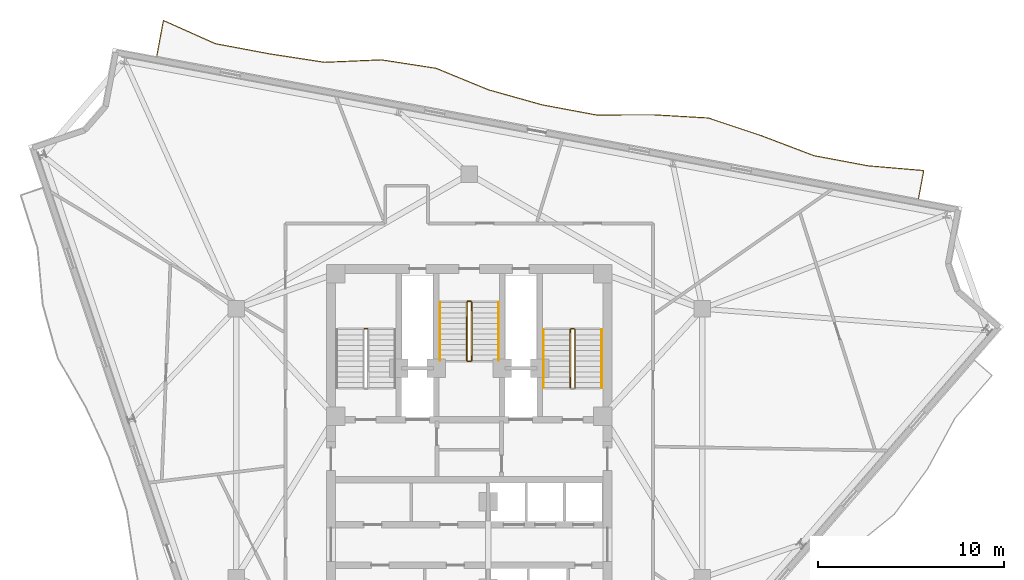
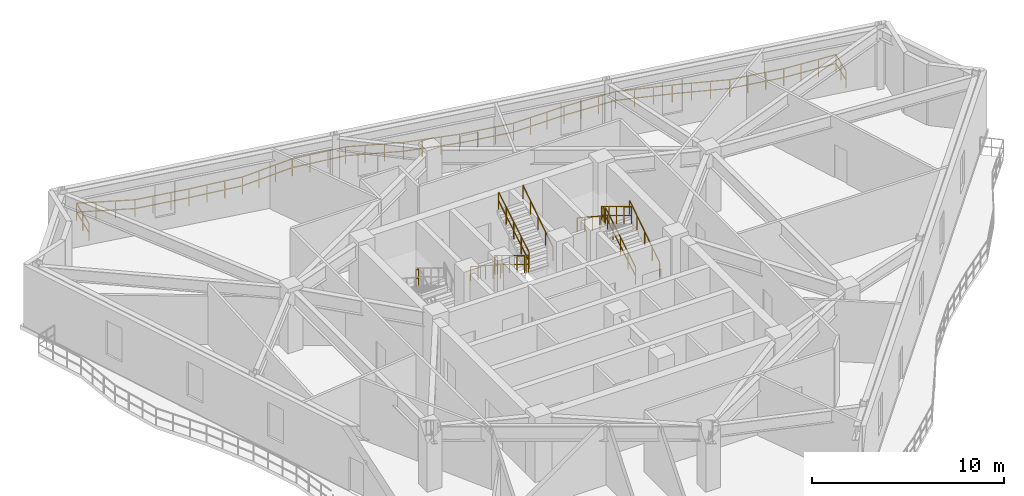
# One storey, part 10 of 10: 13 railings.
"""IFC4 building model written with IfcOpenShell, lengths in metres."""

from ifc_helpers import new_model, si_unit, direction, frame, origin, origin_2d, place, context, subcontext, project, spatial, rectangle, extrude, material, type_object, element, save


model = new_model("IFC4")

# Units and contexts
model_context = context("Model", 3, precision=1e-05, world=origin(), true_north=direction((0.0, 1.0)))
body_context = subcontext(model_context, "Body", "Model", "MODEL_VIEW")
ifc_project = project(units=[si_unit("LENGTHUNIT", "METRE"), si_unit("AREAUNIT", "SQUARE_METRE"), si_unit("VOLUMEUNIT", "CUBIC_METRE"), si_unit("PLANEANGLEUNIT", "RADIAN"), si_unit("MASSUNIT", "GRAM", prefix="KILO")], contexts=[model_context])

# Site, building, storey
site_placement = place(None, origin())
site = spatial("IfcSite", under=ifc_project, at=site_placement, CompositionType="ELEMENT")
building_placement = place(site_placement, origin())
building = spatial("IfcBuilding", under=site, at=building_placement, Name="Apsidion Concourse Tower", CompositionType="ELEMENT")
storey_placement = place(building_placement, frame((0.0, 0.0, 265.5)))
storey = spatial("IfcBuildingStorey", under=building, at=storey_placement, Name="L62", CompositionType="ELEMENT", Elevation=265.5)

# Railings
ifc_material = material(Name="Brushed stainless steel 316", Category="steel")
railing_type_1 = type_object("IfcRailingType", Name="RL-BAL-1120", PredefinedType="BALUSTRADE", material=ifc_material)
railing_1_placement = place(storey_placement, frame((-16.84228515625, 20.8583984375, 0.0)))
element("IfcRailing", 1, at=railing_1_placement, inside=storey, type_object=railing_type_1, Name="L62 Face 3 Rippling Balcony Balustrade", PredefinedType="BALUSTRADE", context=body_context, shape_type="SweptSolid", body=[
    extrude(rectangle(XDim=0.048095703125, YDim=0.048095703125, at=origin_2d()), frame((0.0, 0.0, 1.09619140625), z_axis=(0.183890917986, 0.982946656885, 0.0), x_axis=(-0.982946656885, 0.183890917986, 0.0)), (0.0, 0.0, 1.0), 1.96484375),
    extrude(rectangle(XDim=0.048095703125, YDim=0.048095703125, at=origin_2d()), frame((0.0, 0.0, 0.5361328125), z_axis=(0.183890917986, 0.982946656885, 0.0), x_axis=(-0.982946656885, 0.183890917986, 0.0)), (0.0, 0.0, 1.0), 1.96484375),
    extrude(rectangle(XDim=0.048095703125, YDim=0.048095703125, at=origin_2d()), frame((0.361328125, 1.931396484375, 1.09619140625), z_axis=(0.913061683127, -0.407821483991, 0.0), x_axis=(0.407821483991, 0.913061683127, 0.0)), (0.0, 0.0, 1.0), 3.0673828125),
    extrude(rectangle(XDim=0.048095703125, YDim=0.048095703125, at=origin_2d()), frame((0.361328125, 1.931396484375, 0.5361328125), z_axis=(0.913061683127, -0.407821483991, 0.0), x_axis=(0.407821483991, 0.913061683127, 0.0)), (0.0, 0.0, 1.0), 3.0673828125),
    extrude(rectangle(XDim=0.048095703125, YDim=0.048095703125, at=origin_2d()), frame((3.162109375, 0.680419921875, 1.09619140625), z_axis=(0.982929583423, -0.183982156831, 0.0), x_axis=(0.183982156831, 0.982929583423, 0.0)), (0.0, 0.0, 1.0), 2.983154296875),
    extrude(rectangle(XDim=0.048095703125, YDim=0.048095703125, at=origin_2d()), frame((3.162109375, 0.680419921875, 0.5361328125), z_axis=(0.982929583423, -0.183982156831, 0.0), x_axis=(0.183982156831, 0.982929583423, 0.0)), (0.0, 0.0, 1.0), 2.983154296875),
    extrude(rectangle(XDim=0.048095703125, YDim=0.048095703125, at=origin_2d()), frame((6.09423828125, 0.131591796875, 1.09619140625), z_axis=(0.988358455013, -0.152143236475, 0.0), x_axis=(0.152143236475, 0.988358455013, 0.0)), (0.0, 0.0, 1.0), 2.984619140625),
    extrude(rectangle(XDim=0.048095703125, YDim=0.048095703125, at=origin_2d()), frame((6.09423828125, 0.131591796875, 0.5361328125), z_axis=(0.988358455013, -0.152143236475, 0.0), x_axis=(0.152143236475, 0.988358455013, 0.0)), (0.0, 0.0, 1.0), 2.984619140625),
    extrude(rectangle(XDim=0.048095703125, YDim=0.048095703125, at=origin_2d()), frame((9.044189453125, -0.322509765625, 1.09619140625), z_axis=(0.999059164285, 0.043368032666, 0.0), x_axis=(-0.043368032666, 0.999059164285, 0.0)), (0.0, 0.0, 1.0), 3.0625),
    extrude(rectangle(XDim=0.048095703125, YDim=0.048095703125, at=origin_2d()), frame((9.044189453125, -0.322509765625, 0.5361328125), z_axis=(0.999059164285, 0.043368032666, 0.0), x_axis=(-0.043368032666, 0.999059164285, 0.0)), (0.0, 0.0, 1.0), 3.0625),
    extrude(rectangle(XDim=0.048095703125, YDim=0.048095703125, at=origin_2d()), frame((12.103759765625, -0.189697265625, 1.09619140625), z_axis=(0.988319627636, -0.152395254617, 0.0), x_axis=(0.152395254617, 0.988319627636, 0.0)), (0.0, 0.0, 1.0), 2.984619140625),
    extrude(rectangle(XDim=0.048095703125, YDim=0.048095703125, at=origin_2d()), frame((12.103759765625, -0.189697265625, 0.5361328125), z_axis=(0.988319627636, -0.152395254617, 0.0), x_axis=(0.152395254617, 0.988319627636, 0.0)), (0.0, 0.0, 1.0), 2.984619140625),
    extrude(rectangle(XDim=0.048095703125, YDim=0.048095703125, at=origin_2d()), frame((15.053466796875, -0.64453125, 1.09619140625), z_axis=(0.925084175879, -0.379762119672, 0.0), x_axis=(0.379762119672, 0.925084175879, 0.0)), (0.0, 0.0, 1.0), 3.046630859375),
    extrude(rectangle(XDim=0.048095703125, YDim=0.048095703125, at=origin_2d()), frame((15.053466796875, -0.64453125, 0.5361328125), z_axis=(0.925084175879, -0.379762119672, 0.0), x_axis=(0.379762119672, 0.925084175879, 0.0)), (0.0, 0.0, 1.0), 3.046630859375),
    extrude(rectangle(XDim=0.048095703125, YDim=0.048095703125, at=origin_2d()), frame((17.871826171875, -1.801513671875, 1.09619140625), z_axis=(0.962769036181, -0.270325328025, 0.0), x_axis=(0.270325328025, 0.962769036181, 0.0)), (0.0, 0.0, 1.0), 2.994873046875),
    extrude(rectangle(XDim=0.048095703125, YDim=0.048095703125, at=origin_2d()), frame((17.871826171875, -1.801513671875, 0.5361328125), z_axis=(0.962769036181, -0.270325328025, 0.0), x_axis=(0.270325328025, 0.962769036181, 0.0)), (0.0, 0.0, 1.0), 2.994873046875),
    extrude(rectangle(XDim=0.048095703125, YDim=0.048095703125, at=origin_2d()), frame((20.755126953125, -2.611083984375, 1.09619140625), z_axis=(0.982944381003, -0.183903082774, 0.0), x_axis=(0.183903082774, 0.982944381003, 0.0)), (0.0, 0.0, 1.0), 2.98291015625),
    extrude(rectangle(XDim=0.048095703125, YDim=0.048095703125, at=origin_2d()), frame((20.755126953125, -2.611083984375, 0.5361328125), z_axis=(0.982944381003, -0.183903082774, 0.0), x_axis=(0.183903082774, 0.982944381003, 0.0)), (0.0, 0.0, 1.0), 2.98291015625),
    extrude(rectangle(XDim=0.048095703125, YDim=0.048095703125, at=origin_2d()), frame((23.687255859375, -3.15966796875, 1.09619140625), z_axis=(0.99999402508, 0.003456848869, 0.0), x_axis=(-0.003456848869, 0.99999402508, 0.0)), (0.0, 0.0, 1.0), 3.036865234375),
    extrude(rectangle(XDim=0.048095703125, YDim=0.048095703125, at=origin_2d()), frame((23.687255859375, -3.15966796875, 0.5361328125), z_axis=(0.99999402508, 0.003456848869, 0.0), x_axis=(-0.003456848869, 0.99999402508, 0.0)), (0.0, 0.0, 1.0), 3.036865234375),
    extrude(rectangle(XDim=0.048095703125, YDim=0.048095703125, at=origin_2d()), frame((26.72412109375, -3.149169921875, 1.09619140625), z_axis=(0.998327980421, -0.05780349045, 0.0), x_axis=(0.05780349045, 0.998327980421, 0.0)), (0.0, 0.0, 1.0), 3.00732421875),
    extrude(rectangle(XDim=0.048095703125, YDim=0.048095703125, at=origin_2d()), frame((26.72412109375, -3.149169921875, 0.5361328125), z_axis=(0.998327980421, -0.05780349045, 0.0), x_axis=(0.05780349045, 0.998327980421, 0.0)), (0.0, 0.0, 1.0), 3.00732421875),
    extrude(rectangle(XDim=0.048095703125, YDim=0.048095703125, at=origin_2d()), frame((29.726318359375, -3.322998046875, 1.09619140625), z_axis=(0.948431683114, -0.316981612187, 0.0), x_axis=(0.316981612187, 0.948431683114, 0.0)), (0.0, 0.0, 1.0), 3.011474609375),
    extrude(rectangle(XDim=0.048095703125, YDim=0.048095703125, at=origin_2d()), frame((29.726318359375, -3.322998046875, 0.5361328125), z_axis=(0.948431683114, -0.316981612187, 0.0), x_axis=(0.316981612187, 0.948431683114, 0.0)), (0.0, 0.0, 1.0), 3.011474609375),
    extrude(rectangle(XDim=0.048095703125, YDim=0.048095703125, at=origin_2d()), frame((32.58251953125, -4.277587890625, 1.09619140625), z_axis=(0.934844548219, -0.355057278007, 0.0), x_axis=(0.355057278007, 0.934844548219, 0.0)), (0.0, 0.0, 1.0), 3.031005859375),
    extrude(rectangle(XDim=0.048095703125, YDim=0.048095703125, at=origin_2d()), frame((32.58251953125, -4.277587890625, 0.5361328125), z_axis=(0.934844548219, -0.355057278007, 0.0), x_axis=(0.355057278007, 0.934844548219, 0.0)), (0.0, 0.0, 1.0), 3.031005859375),
    extrude(rectangle(XDim=0.048095703125, YDim=0.048095703125, at=origin_2d()), frame((35.416015625, -5.353759765625, 1.09619140625), z_axis=(0.982944381003, -0.183903082774, 0.0), x_axis=(0.183903082774, 0.982944381003, 0.0)), (0.0, 0.0, 1.0), 2.98291015625),
    extrude(rectangle(XDim=0.048095703125, YDim=0.048095703125, at=origin_2d()), frame((35.416015625, -5.353759765625, 0.5361328125), z_axis=(0.982944381003, -0.183903082774, 0.0), x_axis=(0.183903082774, 0.982944381003, 0.0)), (0.0, 0.0, 1.0), 2.98291015625),
    extrude(rectangle(XDim=0.048095703125, YDim=0.048095703125, at=origin_2d()), frame((38.34814453125, -5.90234375, 1.09619140625), z_axis=(0.996414238913, -0.084608891323, 0.0), x_axis=(0.084608891323, 0.996414238913, 0.0)), (0.0, 0.0, 1.0), 2.998046875),
    extrude(rectangle(XDim=0.048095703125, YDim=0.048095703125, at=origin_2d()), frame((38.34814453125, -5.90234375, 0.5361328125), z_axis=(0.996414238913, -0.084608891323, 0.0), x_axis=(0.084608891323, 0.996414238913, 0.0)), (0.0, 0.0, 1.0), 2.998046875),
    extrude(rectangle(XDim=0.048095703125, YDim=0.048095703125, at=origin_2d()), frame((41.33544921875, -6.156005859375, 1.09619140625), z_axis=(-0.183831989108, -0.982957679547, 0.0), x_axis=(0.982957679547, -0.183831989108, 0.0)), (0.0, 0.0, 1.0), 1.5498046875),
    extrude(rectangle(XDim=0.048095703125, YDim=0.048095703125, at=origin_2d()), frame((41.33544921875, -6.156005859375, 0.5361328125), z_axis=(-0.183831989108, -0.982957679547, 0.0), x_axis=(0.982957679547, -0.183831989108, 0.0)), (0.0, 0.0, 1.0), 1.5498046875),
    extrude(rectangle(XDim=0.0419921875, YDim=0.0419921875, at=origin_2d()), origin(), (0.0, 0.0, 1.0), 1.072021484375),
    extrude(rectangle(XDim=0.0419921875, YDim=0.0419921875, at=origin_2d()), frame((0.1806640625, 0.9658203125, 0.0)), (0.0, 0.0, 1.0), 1.072021484375),
    extrude(rectangle(XDim=0.0419921875, YDim=0.0419921875, at=origin_2d()), frame((0.361328125, 1.931396484375, 0.0)), (0.0, 0.0, 1.0), 1.072021484375),
    extrude(rectangle(XDim=0.0419921875, YDim=0.0419921875, at=origin_2d()), frame((1.294921875, 1.514404296875, 0.0)), (0.0, 0.0, 1.0), 1.072021484375),
    extrude(rectangle(XDim=0.0419921875, YDim=0.0419921875, at=origin_2d()), frame((2.228515625, 1.097412109375, 0.0)), (0.0, 0.0, 1.0), 1.072021484375),
    extrude(rectangle(XDim=0.0419921875, YDim=0.0419921875, at=origin_2d()), frame((3.162109375, 0.680419921875, 0.0)), (0.0, 0.0, 1.0), 1.072021484375),
    extrude(rectangle(XDim=0.0419921875, YDim=0.0419921875, at=origin_2d()), frame((4.139404296875, 0.49755859375, 0.0)), (0.0, 0.0, 1.0), 1.072021484375),
    extrude(rectangle(XDim=0.0419921875, YDim=0.0419921875, at=origin_2d()), frame((5.116943359375, 0.314453125, 0.0)), (0.0, 0.0, 1.0), 1.072021484375),
    extrude(rectangle(XDim=0.0419921875, YDim=0.0419921875, at=origin_2d()), frame((6.09423828125, 0.131591796875, 0.0)), (0.0, 0.0, 1.0), 1.072021484375),
    extrude(rectangle(XDim=0.0419921875, YDim=0.0419921875, at=origin_2d()), frame((7.07763671875, -0.019775390625, 0.0)), (0.0, 0.0, 1.0), 1.072021484375),
    extrude(rectangle(XDim=0.0419921875, YDim=0.0419921875, at=origin_2d()), frame((8.060791015625, -0.171142578125, 0.0)), (0.0, 0.0, 1.0), 1.072021484375),
    extrude(rectangle(XDim=0.0419921875, YDim=0.0419921875, at=origin_2d()), frame((9.044189453125, -0.322509765625, 0.0)), (0.0, 0.0, 1.0), 1.072021484375),
    extrude(rectangle(XDim=0.0419921875, YDim=0.0419921875, at=origin_2d()), frame((10.06396484375, -0.2783203125, 0.0)), (0.0, 0.0, 1.0), 1.072021484375),
    extrude(rectangle(XDim=0.0419921875, YDim=0.0419921875, at=origin_2d()), frame((11.083984375, -0.23388671875, 0.0)), (0.0, 0.0, 1.0), 1.072021484375),
    extrude(rectangle(XDim=0.0419921875, YDim=0.0419921875, at=origin_2d()), frame((12.103759765625, -0.189697265625, 0.0)), (0.0, 0.0, 1.0), 1.072021484375),
    extrude(rectangle(XDim=0.0419921875, YDim=0.0419921875, at=origin_2d()), frame((13.0869140625, -0.34130859375, 0.0)), (0.0, 0.0, 1.0), 1.072021484375),
    extrude(rectangle(XDim=0.0419921875, YDim=0.0419921875, at=origin_2d()), frame((14.0703125, -0.492919921875, 0.0)), (0.0, 0.0, 1.0), 1.072021484375),
    extrude(rectangle(XDim=0.0419921875, YDim=0.0419921875, at=origin_2d()), frame((15.053466796875, -0.64453125, 0.0)), (0.0, 0.0, 1.0), 1.072021484375),
    extrude(rectangle(XDim=0.0419921875, YDim=0.0419921875, at=origin_2d()), frame((15.992919921875, -1.0302734375, 0.0)), (0.0, 0.0, 1.0), 1.072021484375),
    extrude(rectangle(XDim=0.0419921875, YDim=0.0419921875, at=origin_2d()), frame((16.932373046875, -1.415771484375, 0.0)), (0.0, 0.0, 1.0), 1.072021484375),
    extrude(rectangle(XDim=0.0419921875, YDim=0.0419921875, at=origin_2d()), frame((17.871826171875, -1.801513671875, 0.0)), (0.0, 0.0, 1.0), 1.072021484375),
    extrude(rectangle(XDim=0.0419921875, YDim=0.0419921875, at=origin_2d()), frame((18.8330078125, -2.0712890625, 0.0)), (0.0, 0.0, 1.0), 1.072021484375),
    extrude(rectangle(XDim=0.0419921875, YDim=0.0419921875, at=origin_2d()), frame((19.7939453125, -2.34130859375, 0.0)), (0.0, 0.0, 1.0), 1.072021484375),
    extrude(rectangle(XDim=0.0419921875, YDim=0.0419921875, at=origin_2d()), frame((20.755126953125, -2.611083984375, 0.0)), (0.0, 0.0, 1.0), 1.072021484375),
    extrude(rectangle(XDim=0.0419921875, YDim=0.0419921875, at=origin_2d()), frame((21.732421875, -2.7939453125, 0.0)), (0.0, 0.0, 1.0), 1.072021484375),
    extrude(rectangle(XDim=0.0419921875, YDim=0.0419921875, at=origin_2d()), frame((22.7099609375, -2.976806640625, 0.0)), (0.0, 0.0, 1.0), 1.072021484375),
    extrude(rectangle(XDim=0.0419921875, YDim=0.0419921875, at=origin_2d()), frame((23.687255859375, -3.15966796875, 0.0)), (0.0, 0.0, 1.0), 1.072021484375),
    extrude(rectangle(XDim=0.0419921875, YDim=0.0419921875, at=origin_2d()), frame((24.699462890625, -3.15625, 0.0)), (0.0, 0.0, 1.0), 1.072021484375),
    extrude(rectangle(XDim=0.0419921875, YDim=0.0419921875, at=origin_2d()), frame((25.7119140625, -3.152587890625, 0.0)), (0.0, 0.0, 1.0), 1.072021484375),
    extrude(rectangle(XDim=0.0419921875, YDim=0.0419921875, at=origin_2d()), frame((26.72412109375, -3.149169921875, 0.0)), (0.0, 0.0, 1.0), 1.072021484375),
    extrude(rectangle(XDim=0.0419921875, YDim=0.0419921875, at=origin_2d()), frame((27.724853515625, -3.20703125, 0.0)), (0.0, 0.0, 1.0), 1.072021484375),
    extrude(rectangle(XDim=0.0419921875, YDim=0.0419921875, at=origin_2d()), frame((28.7255859375, -3.26513671875, 0.0)), (0.0, 0.0, 1.0), 1.072021484375),
    extrude(rectangle(XDim=0.0419921875, YDim=0.0419921875, at=origin_2d()), frame((29.726318359375, -3.322998046875, 0.0)), (0.0, 0.0, 1.0), 1.072021484375),
    extrude(rectangle(XDim=0.0419921875, YDim=0.0419921875, at=origin_2d()), frame((30.678466796875, -3.64111328125, 0.0)), (0.0, 0.0, 1.0), 1.072021484375),
    extrude(rectangle(XDim=0.0419921875, YDim=0.0419921875, at=origin_2d()), frame((31.63037109375, -3.95947265625, 0.0)), (0.0, 0.0, 1.0), 1.072021484375),
    extrude(rectangle(XDim=0.0419921875, YDim=0.0419921875, at=origin_2d()), frame((32.58251953125, -4.277587890625, 0.0)), (0.0, 0.0, 1.0), 1.072021484375),
    extrude(rectangle(XDim=0.0419921875, YDim=0.0419921875, at=origin_2d()), frame((33.527099609375, -4.63623046875, 0.0)), (0.0, 0.0, 1.0), 1.072021484375),
    extrude(rectangle(XDim=0.0419921875, YDim=0.0419921875, at=origin_2d()), frame((34.471435546875, -4.9951171875, 0.0)), (0.0, 0.0, 1.0), 1.072021484375),
    extrude(rectangle(XDim=0.0419921875, YDim=0.0419921875, at=origin_2d()), frame((35.416015625, -5.353759765625, 0.0)), (0.0, 0.0, 1.0), 1.072021484375),
    extrude(rectangle(XDim=0.0419921875, YDim=0.0419921875, at=origin_2d()), frame((36.393310546875, -5.53662109375, 0.0)), (0.0, 0.0, 1.0), 1.072021484375),
    extrude(rectangle(XDim=0.0419921875, YDim=0.0419921875, at=origin_2d()), frame((37.370849609375, -5.719482421875, 0.0)), (0.0, 0.0, 1.0), 1.072021484375),
    extrude(rectangle(XDim=0.0419921875, YDim=0.0419921875, at=origin_2d()), frame((38.34814453125, -5.90234375, 0.0)), (0.0, 0.0, 1.0), 1.072021484375),
    extrude(rectangle(XDim=0.0419921875, YDim=0.0419921875, at=origin_2d()), frame((39.343994140625, -5.98681640625, 0.0)), (0.0, 0.0, 1.0), 1.072021484375),
    extrude(rectangle(XDim=0.0419921875, YDim=0.0419921875, at=origin_2d()), frame((40.339599609375, -6.071533203125, 0.0)), (0.0, 0.0, 1.0), 1.072021484375),
    extrude(rectangle(XDim=0.0419921875, YDim=0.0419921875, at=origin_2d()), frame((41.33544921875, -6.156005859375, 0.0)), (0.0, 0.0, 1.0), 1.072021484375),
    extrude(rectangle(XDim=0.0419921875, YDim=0.0419921875, at=origin_2d()), frame((41.19287109375, -6.917724609375, 0.0)), (0.0, 0.0, 1.0), 1.072021484375),
    extrude(rectangle(XDim=0.0419921875, YDim=0.0419921875, at=origin_2d()), frame((41.050537109375, -7.679443359375, 0.0)), (0.0, 0.0, 1.0), 1.072021484375),
])
railing_type_2 = type_object("IfcRailingType", Name="RL-GUARD-1100", PredefinedType="GUARDRAIL", material=ifc_material)
railing_2_placement = place(storey_placement, frame((-5.5, 6.18505859375, 2.050048828125)))
element("IfcRailing", 2, at=railing_2_placement, inside=storey, type_object=railing_type_2, Name="L62 ST1 stair guard 2", PredefinedType="GUARDRAIL", context=body_context, shape_type="SweptSolid", body=[
    extrude(rectangle(XDim=0.048095703125, YDim=0.048095703125, at=origin_2d()), frame((0.0, 0.0, 1.09619140625), z_axis=(-1.0, 0.0, 0.0), x_axis=(0.0, -1.0, 0.0)), (0.0, 0.0, 1.0), 0.14990234375),
    extrude(rectangle(XDim=0.048095703125, YDim=0.048095703125, at=origin_2d()), frame((0.0, 0.0, 0.5361328125), z_axis=(-1.0, 0.0, 0.0), x_axis=(0.0, -1.0, 0.0)), (0.0, 0.0, 1.0), 0.14990234375),
    extrude(rectangle(XDim=0.0419921875, YDim=0.0419921875, at=origin_2d()), origin(), (0.0, 0.0, 1.0), 1.072021484375),
    extrude(rectangle(XDim=0.0419921875, YDim=0.0419921875, at=origin_2d()), frame((-0.14990234375, 0.0, 0.0)), (0.0, 0.0, 1.0), 1.072021484375),
])
railing_3_placement = place(storey_placement, frame((5.699951171875, 3.0, 0.1708984375)))
element("IfcRailing", 3, at=railing_3_placement, inside=storey, type_object=railing_type_2, Name="L62 ST2 stair guard 1", PredefinedType="GUARDRAIL", context=body_context, shape_type="SweptSolid", body=[
    extrude(rectangle(XDim=0.048095703125, YDim=0.048095703125, at=origin_2d()), frame((0.0, 0.0, 1.09619140625), z_axis=(0.0, 0.857716804754, 0.514122439544), x_axis=(-1.0, 0.0, 0.0)), (0.0, 0.0, 1.0), 3.655029296875),
    extrude(rectangle(XDim=0.048095703125, YDim=0.048095703125, at=origin_2d()), frame((0.0, 0.0, 0.5361328125), z_axis=(0.0, 0.857716804754, 0.514122439544), x_axis=(-1.0, 0.0, 0.0)), (0.0, 0.0, 1.0), 3.655029296875),
    extrude(rectangle(XDim=0.0419921875, YDim=0.0419921875, at=origin_2d()), origin(), (0.0, 0.0, 1.0), 1.072021484375),
    extrude(rectangle(XDim=0.0419921875, YDim=0.0419921875, at=origin_2d()), frame((0.0, 0.78369140625, 0.4697265625)), (0.0, 0.0, 1.0), 1.072021484375),
    extrude(rectangle(XDim=0.0419921875, YDim=0.0419921875, at=origin_2d()), frame((0.0, 1.5673828125, 0.939453125)), (0.0, 0.0, 1.0), 1.072021484375),
    extrude(rectangle(XDim=0.0419921875, YDim=0.0419921875, at=origin_2d()), frame((0.0, 2.351318359375, 1.409423828125)), (0.0, 0.0, 1.0), 1.072021484375),
    extrude(rectangle(XDim=0.0419921875, YDim=0.0419921875, at=origin_2d()), frame((0.0, 3.135009765625, 1.879150390625)), (0.0, 0.0, 1.0), 1.072021484375),
])
railing_4_placement = place(storey_placement, frame((5.64990234375, 6.18505859375, 2.050048828125)))
element("IfcRailing", 4, at=railing_4_placement, inside=storey, type_object=railing_type_2, Name="L62 ST2 stair guard 2", PredefinedType="GUARDRAIL", context=body_context, shape_type="SweptSolid", body=[
    extrude(rectangle(XDim=0.048095703125, YDim=0.048095703125, at=origin_2d()), frame((0.0, 0.0, 1.09619140625), z_axis=(-1.0, 0.0, 0.0), x_axis=(0.0, -1.0, 0.0)), (0.0, 0.0, 1.0), 0.14990234375),
    extrude(rectangle(XDim=0.048095703125, YDim=0.048095703125, at=origin_2d()), frame((0.0, 0.0, 0.5361328125), z_axis=(-1.0, 0.0, 0.0), x_axis=(0.0, -1.0, 0.0)), (0.0, 0.0, 1.0), 0.14990234375),
    extrude(rectangle(XDim=0.0419921875, YDim=0.0419921875, at=origin_2d()), origin(), (0.0, 0.0, 1.0), 1.072021484375),
    extrude(rectangle(XDim=0.0419921875, YDim=0.0419921875, at=origin_2d()), frame((-0.14990234375, 0.0, 0.0)), (0.0, 0.0, 1.0), 1.072021484375),
])
for number, where, name in (
    (5, (5.449951171875, 6.135009765625, 2.220947265625), "L62 ST2 stair guard 3"),
    (6, (-0.125, 7.60009765625, 0.1708984375), "L62 ST3 stair guard 1"),
):
    element("IfcRailing", number, at=place(storey_placement, frame(where)), inside=storey, type_object=railing_type_2, Name=name, PredefinedType="GUARDRAIL", context=body_context, shape_type="SweptSolid", body=[
        extrude(rectangle(XDim=0.048095703125, YDim=0.048095703125, at=origin_2d()), frame((0.0, 0.0, 1.09619140625), z_axis=(0.0, -0.857716804754, 0.514122439544), x_axis=(1.0, 0.0, 0.0)), (0.0, 0.0, 1.0), 3.655029296875),
        extrude(rectangle(XDim=0.048095703125, YDim=0.048095703125, at=origin_2d()), frame((0.0, 0.0, 0.5361328125), z_axis=(0.0, -0.857716804754, 0.514122439544), x_axis=(1.0, 0.0, 0.0)), (0.0, 0.0, 1.0), 3.655029296875),
        extrude(rectangle(XDim=0.0419921875, YDim=0.0419921875, at=origin_2d()), origin(), (0.0, 0.0, 1.0), 1.072021484375),
        extrude(rectangle(XDim=0.0419921875, YDim=0.0419921875, at=origin_2d()), frame((0.0, -0.78369140625, 0.4697265625)), (0.0, 0.0, 1.0), 1.072021484375),
        extrude(rectangle(XDim=0.0419921875, YDim=0.0419921875, at=origin_2d()), frame((0.0, -1.5673828125, 0.939453125)), (0.0, 0.0, 1.0), 1.072021484375),
        extrude(rectangle(XDim=0.0419921875, YDim=0.0419921875, at=origin_2d()), frame((0.0, -2.351318359375, 1.409423828125)), (0.0, 0.0, 1.0), 1.072021484375),
        extrude(rectangle(XDim=0.0419921875, YDim=0.0419921875, at=origin_2d()), frame((0.0, -3.135009765625, 1.879150390625)), (0.0, 0.0, 1.0), 1.072021484375),
    ])
railing_5_placement = place(storey_placement, frame((-0.074951171875, 4.4150390625, 2.050048828125)))
element("IfcRailing", 7, at=railing_5_placement, inside=storey, type_object=railing_type_2, Name="L62 ST3 stair guard 2", PredefinedType="GUARDRAIL", context=body_context, shape_type="SweptSolid", body=[
    extrude(rectangle(XDim=0.048095703125, YDim=0.048095703125, at=origin_2d()), frame((0.0, 0.0, 1.09619140625), z_axis=(1.0, 0.0, 0.0), x_axis=(0.0, 1.0, 0.0)), (0.0, 0.0, 1.0), 0.14990234375),
    extrude(rectangle(XDim=0.048095703125, YDim=0.048095703125, at=origin_2d()), frame((0.0, 0.0, 0.5361328125), z_axis=(1.0, 0.0, 0.0), x_axis=(0.0, 1.0, 0.0)), (0.0, 0.0, 1.0), 0.14990234375),
    extrude(rectangle(XDim=0.0419921875, YDim=0.0419921875, at=origin_2d()), origin(), (0.0, 0.0, 1.0), 1.072021484375),
    extrude(rectangle(XDim=0.0419921875, YDim=0.0419921875, at=origin_2d()), frame((0.14990234375, 0.0, 0.0)), (0.0, 0.0, 1.0), 1.072021484375),
])
railing_6_placement = place(storey_placement, frame((0.125, 4.465087890625, 2.220947265625)))
element("IfcRailing", 8, at=railing_6_placement, inside=storey, type_object=railing_type_2, Name="L62 ST3 stair guard 3", PredefinedType="GUARDRAIL", context=body_context, shape_type="SweptSolid", body=[
    extrude(rectangle(XDim=0.048095703125, YDim=0.048095703125, at=origin_2d()), frame((0.0, 0.0, 1.09619140625), z_axis=(0.0, 0.857716804754, 0.514122439544), x_axis=(-1.0, 0.0, 0.0)), (0.0, 0.0, 1.0), 3.655029296875),
    extrude(rectangle(XDim=0.048095703125, YDim=0.048095703125, at=origin_2d()), frame((0.0, 0.0, 0.5361328125), z_axis=(0.0, 0.857716804754, 0.514122439544), x_axis=(-1.0, 0.0, 0.0)), (0.0, 0.0, 1.0), 3.655029296875),
    extrude(rectangle(XDim=0.0419921875, YDim=0.0419921875, at=origin_2d()), origin(), (0.0, 0.0, 1.0), 1.072021484375),
    extrude(rectangle(XDim=0.0419921875, YDim=0.0419921875, at=origin_2d()), frame((0.0, 0.78369140625, 0.4697265625)), (0.0, 0.0, 1.0), 1.072021484375),
    extrude(rectangle(XDim=0.0419921875, YDim=0.0419921875, at=origin_2d()), frame((0.0, 1.5673828125, 0.939453125)), (0.0, 0.0, 1.0), 1.072021484375),
    extrude(rectangle(XDim=0.0419921875, YDim=0.0419921875, at=origin_2d()), frame((0.0, 2.351318359375, 1.409423828125)), (0.0, 0.0, 1.0), 1.072021484375),
    extrude(rectangle(XDim=0.0419921875, YDim=0.0419921875, at=origin_2d()), frame((0.0, 3.135009765625, 1.879150390625)), (0.0, 0.0, 1.0), 1.072021484375),
])
railing_7_placement = place(storey_placement, frame((-0.074951171875, 7.64990234375, 0.0)))
element("IfcRailing", 9, at=railing_7_placement, inside=storey, type_object=railing_type_2, Name="L62 ST3 stair guard 4", PredefinedType="GUARDRAIL", context=body_context, shape_type="SweptSolid", body=[
    extrude(rectangle(XDim=0.048095703125, YDim=0.048095703125, at=origin_2d()), frame((0.0, 0.0, 1.09619140625), z_axis=(1.0, 0.0, 0.0), x_axis=(0.0, 1.0, 0.0)), (0.0, 0.0, 1.0), 0.14990234375),
    extrude(rectangle(XDim=0.048095703125, YDim=0.048095703125, at=origin_2d()), frame((0.0, 0.0, 0.5361328125), z_axis=(1.0, 0.0, 0.0), x_axis=(0.0, 1.0, 0.0)), (0.0, 0.0, 1.0), 0.14990234375),
    extrude(rectangle(XDim=0.0419921875, YDim=0.0419921875, at=origin_2d()), origin(), (0.0, 0.0, 1.0), 1.072021484375),
    extrude(rectangle(XDim=0.0419921875, YDim=0.0419921875, at=origin_2d()), frame((0.14990234375, 0.0, 0.0)), (0.0, 0.0, 1.0), 1.072021484375),
])
railing_type_3 = type_object("IfcRailingType", Name="RL-HAND-900", PredefinedType="HANDRAIL", material=ifc_material)
railing_8_placement = place(storey_placement, frame((7.14990234375, 3.0, 0.1708984375)))
element("IfcRailing", 10, at=railing_8_placement, inside=storey, type_object=railing_type_3, Name="L62 ST2 stair handrail 1", PredefinedType="HANDRAIL", context=body_context, shape_type="SweptSolid", body=[
    extrude(rectangle(XDim=0.048095703125, YDim=0.048095703125, at=origin_2d()), frame((0.0, 0.0, 0.8759765625), z_axis=(0.0, 0.836940907821, 0.547293263996), x_axis=(-1.0, 0.0, 0.0)), (0.0, 0.0, 1.0), 3.745849609375),
    extrude(rectangle(XDim=0.0419921875, YDim=0.0419921875, at=origin_2d()), origin(), (0.0, 0.0, 1.0), 0.851806640625),
    extrude(rectangle(XDim=0.0419921875, YDim=0.0419921875, at=origin_2d()), frame((0.0, 0.78369140625, 0.512451171875)), (0.0, 0.0, 1.0), 0.851806640625),
    extrude(rectangle(XDim=0.0419921875, YDim=0.0419921875, at=origin_2d()), frame((0.0, 1.5673828125, 1.02490234375)), (0.0, 0.0, 1.0), 0.851806640625),
    extrude(rectangle(XDim=0.0419921875, YDim=0.0419921875, at=origin_2d()), frame((0.0, 2.351318359375, 1.53759765625)), (0.0, 0.0, 1.0), 0.851806640625),
    extrude(rectangle(XDim=0.0419921875, YDim=0.0419921875, at=origin_2d()), frame((0.0, 3.135009765625, 2.050048828125)), (0.0, 0.0, 1.0), 0.851806640625),
])
railing_9_placement = place(storey_placement, frame((4.0, 6.135009765625, 2.220947265625)))
element("IfcRailing", 11, at=railing_9_placement, inside=storey, type_object=railing_type_3, Name="L62 ST2 stair handrail 2", PredefinedType="HANDRAIL", context=body_context, shape_type="SweptSolid", body=[
    extrude(rectangle(XDim=0.048095703125, YDim=0.048095703125, at=origin_2d()), frame((0.0, 0.0, 0.8759765625), z_axis=(0.0, -0.836970762213, 0.547247606848), x_axis=(1.0, 0.0, 0.0)), (0.0, 0.0, 1.0), 3.74560546875),
    extrude(rectangle(XDim=0.0419921875, YDim=0.0419921875, at=origin_2d()), origin(), (0.0, 0.0, 1.0), 0.851806640625),
    extrude(rectangle(XDim=0.0419921875, YDim=0.0419921875, at=origin_2d()), frame((0.0, -0.78369140625, 0.512451171875)), (0.0, 0.0, 1.0), 0.851806640625),
    extrude(rectangle(XDim=0.0419921875, YDim=0.0419921875, at=origin_2d()), frame((0.0, -1.5673828125, 1.02490234375)), (0.0, 0.0, 1.0), 0.851806640625),
    extrude(rectangle(XDim=0.0419921875, YDim=0.0419921875, at=origin_2d()), frame((0.0, -2.351318359375, 1.537353515625)), (0.0, 0.0, 1.0), 0.851806640625),
    extrude(rectangle(XDim=0.0419921875, YDim=0.0419921875, at=origin_2d()), frame((0.0, -3.135009765625, 2.0498046875)), (0.0, 0.0, 1.0), 0.851806640625),
])
railing_10_placement = place(storey_placement, frame((-1.574951171875, 7.60009765625, 0.1708984375)))
element("IfcRailing", 12, at=railing_10_placement, inside=storey, type_object=railing_type_3, Name="L62 ST3 stair handrail 1", PredefinedType="HANDRAIL", context=body_context, shape_type="SweptSolid", body=[
    extrude(rectangle(XDim=0.048095703125, YDim=0.048095703125, at=origin_2d()), frame((0.0, 0.0, 0.8759765625), z_axis=(0.0, -0.836940907821, 0.547293263996), x_axis=(1.0, 0.0, 0.0)), (0.0, 0.0, 1.0), 3.745849609375),
    extrude(rectangle(XDim=0.0419921875, YDim=0.0419921875, at=origin_2d()), origin(), (0.0, 0.0, 1.0), 0.851806640625),
    extrude(rectangle(XDim=0.0419921875, YDim=0.0419921875, at=origin_2d()), frame((0.0, -0.78369140625, 0.512451171875)), (0.0, 0.0, 1.0), 0.851806640625),
    extrude(rectangle(XDim=0.0419921875, YDim=0.0419921875, at=origin_2d()), frame((0.0, -1.5673828125, 1.02490234375)), (0.0, 0.0, 1.0), 0.851806640625),
    extrude(rectangle(XDim=0.0419921875, YDim=0.0419921875, at=origin_2d()), frame((0.0, -2.351318359375, 1.53759765625)), (0.0, 0.0, 1.0), 0.851806640625),
    extrude(rectangle(XDim=0.0419921875, YDim=0.0419921875, at=origin_2d()), frame((0.0, -3.135009765625, 2.050048828125)), (0.0, 0.0, 1.0), 0.851806640625),
])
railing_11_placement = place(storey_placement, frame((1.574951171875, 4.465087890625, 2.220947265625)))
element("IfcRailing", 13, at=railing_11_placement, inside=storey, type_object=railing_type_3, Name="L62 ST3 stair handrail 2", PredefinedType="HANDRAIL", context=body_context, shape_type="SweptSolid", body=[
    extrude(rectangle(XDim=0.048095703125, YDim=0.048095703125, at=origin_2d()), frame((0.0, 0.0, 0.8759765625), z_axis=(0.0, 0.836970762213, 0.547247606848), x_axis=(-1.0, 0.0, 0.0)), (0.0, 0.0, 1.0), 3.74560546875),
    extrude(rectangle(XDim=0.0419921875, YDim=0.0419921875, at=origin_2d()), origin(), (0.0, 0.0, 1.0), 0.851806640625),
    extrude(rectangle(XDim=0.0419921875, YDim=0.0419921875, at=origin_2d()), frame((0.0, 0.78369140625, 0.512451171875)), (0.0, 0.0, 1.0), 0.851806640625),
    extrude(rectangle(XDim=0.0419921875, YDim=0.0419921875, at=origin_2d()), frame((0.0, 1.5673828125, 1.02490234375)), (0.0, 0.0, 1.0), 0.851806640625),
    extrude(rectangle(XDim=0.0419921875, YDim=0.0419921875, at=origin_2d()), frame((0.0, 2.351318359375, 1.537353515625)), (0.0, 0.0, 1.0), 0.851806640625),
    extrude(rectangle(XDim=0.0419921875, YDim=0.0419921875, at=origin_2d()), frame((0.0, 3.135009765625, 2.0498046875)), (0.0, 0.0, 1.0), 0.851806640625),
])

save(model, "model.ifc")
